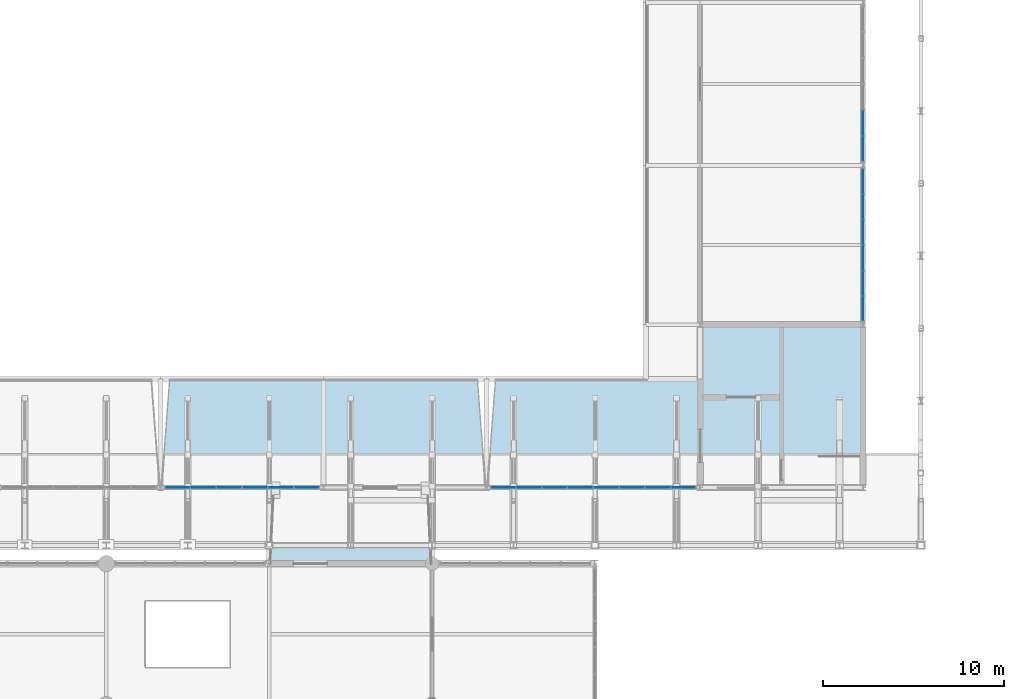
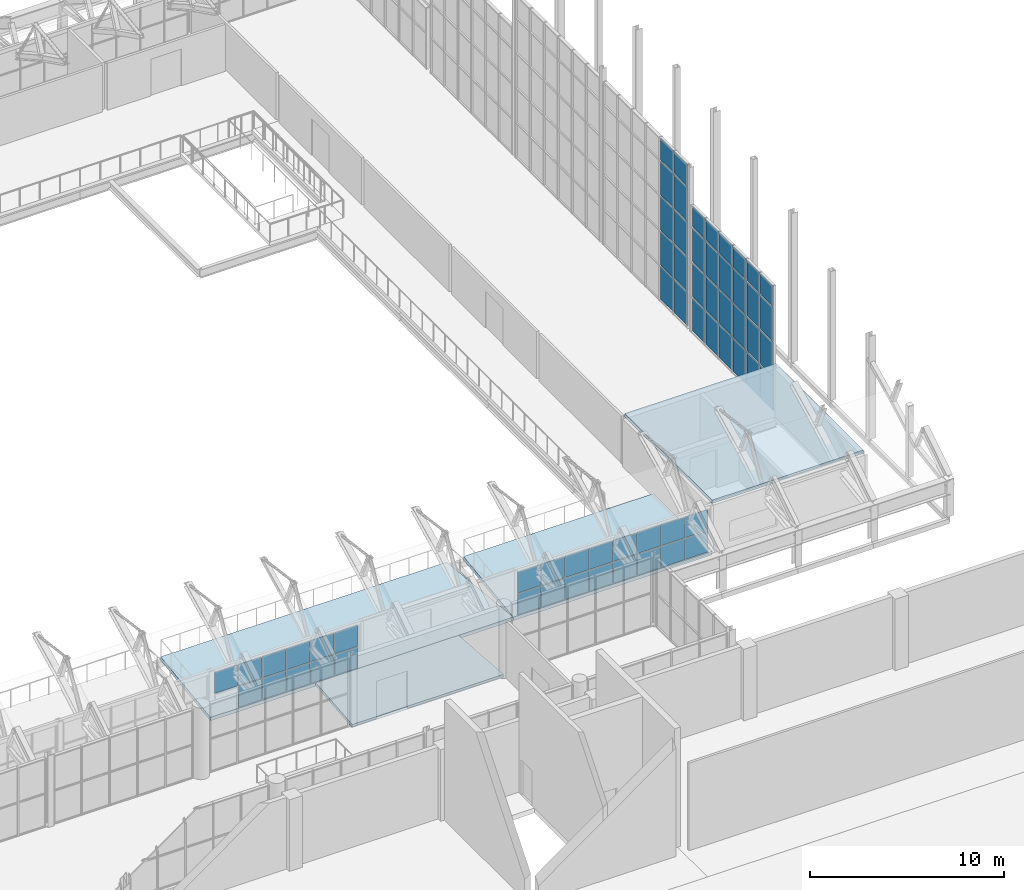
# One storey, part 102 of 134: 61 plates, 4 slabs, 4 elements without a shape of their own.
"""IFC4 building model written with IfcOpenShell, lengths in metres."""

from ifc_helpers import new_model, si_unit, direction, frame, origin, origin_2d, place, context, subcontext, project, spatial, polyline, rectangle, outline, extrude, material, layer, layer_set, type_object, element, aggregate, save


model = new_model("IFC4")

# Units and contexts
model_context = context("Model", 3, precision=1e-05, world=origin(), true_north=direction((0.0, 1.0)))
body_context = subcontext(model_context, "Body", "Model", "MODEL_VIEW")
ifc_project = project(units=[si_unit("LENGTHUNIT", "METRE"), si_unit("AREAUNIT", "SQUARE_METRE"), si_unit("VOLUMEUNIT", "CUBIC_METRE"), si_unit("PLANEANGLEUNIT", "RADIAN"), si_unit("MASSUNIT", "GRAM", prefix="KILO")], contexts=[model_context])

# Site, building, storey
site_placement = place(None, origin())
site = spatial("IfcSite", under=ifc_project, at=site_placement, CompositionType="ELEMENT")
building_placement = place(site_placement, origin())
building = spatial("IfcBuilding", under=site, at=building_placement, Name="Cazmaro Siding Exhibition Halls", CompositionType="ELEMENT")
storey_placement = place(building_placement, frame((0.0, 0.0, 12.0)))
storey = spatial("IfcBuildingStorey", under=building, at=storey_placement, Name="L02", CompositionType="ELEMENT", Elevation=12.0)

# Curtain wall, plates
ifc_material_1 = material(Name="Anodized Bronze Aluminum and Solar-Control Low-E Glazing", Category="aluminium")
ifc_layer_1 = layer(ifc_material_1, 0.219970703125)
ifc_layer_set_1 = layer_set([ifc_layer_1], Name="Anodized Bronze Aluminum and Solar-Control Low-E Glazing")
curtain_wall_type_1 = type_object("IfcCurtainWallType", Name="CWS-03", PredefinedType="USERDEFINED", material=ifc_layer_set_1)
curtain_wall_1_placement = place(storey_placement, origin())
curtain_wall_1 = element("IfcCurtainWall", 1, at=curtain_wall_1_placement, inside=storey, type_object=curtain_wall_type_1, Name="Glazed Curtain Wall CWS-03 CW-067", ObjectType="GLAZED CURTAIN WALL", PredefinedType="USERDEFINED")
ifc_material_2 = material(Name="Solar-Control Low-E Double Insulating Glass", Category="glass")
ifc_layer_2 = layer(ifc_material_2, 0.0458984375)
ifc_layer_set_2 = layer_set([ifc_layer_2], Name="Solar-Control Low-E Double Insulating Glass")
plate_type_1 = type_object("IfcPlateType", Name="CWP-03", PredefinedType="CURTAIN_PANEL", material=ifc_layer_set_2)
plate_1_placement = place(storey_placement, frame((167.800048828125, 77.098388671875, 0.06982421875), z_axis=(0.0, 0.0, 1.0), x_axis=(0.0, 1.0, 0.0)))
plate_1 = element("IfcPlate", 2, at=plate_1_placement, type_object=plate_type_1, Name="CWS-03 panel 1.1", PredefinedType="CURTAIN_PANEL", context=body_context, shape_type="SweptSolid", body=[
    extrude(rectangle(XDim=1.302734375, YDim=0.0458984375, at=origin_2d()), origin(), (0.0, 0.0, 1.0), 2.094970703125),
])
plate_2_placement = place(storey_placement, frame((167.800048828125, 77.098388671875, 2.235107421875), z_axis=(0.0, 0.0, 1.0), x_axis=(0.0, 1.0, 0.0)))
plate_2 = element("IfcPlate", 3, at=plate_2_placement, type_object=plate_type_1, Name="CWS-03 panel 1.2", PredefinedType="CURTAIN_PANEL", context=body_context, shape_type="SweptSolid", body=[
    extrude(rectangle(XDim=1.302734375, YDim=0.0458984375, at=origin_2d()), origin(), (0.0, 0.0, 1.0), 2.1298828125),
])
plate_3_placement = place(storey_placement, frame((167.800048828125, 77.098388671875, 4.43505859375), z_axis=(0.0, 0.0, 1.0), x_axis=(0.0, 1.0, 0.0)))
plate_3 = element("IfcPlate", 4, at=plate_3_placement, type_object=plate_type_1, Name="CWS-03 panel 1.3", PredefinedType="CURTAIN_PANEL", context=body_context, shape_type="SweptSolid", body=[
    extrude(rectangle(XDim=1.302734375, YDim=0.0458984375, at=origin_2d()), origin(), (0.0, 0.0, 1.0), 2.1298828125),
])
plate_4_placement = place(storey_placement, frame((167.800048828125, 77.098388671875, 6.635009765625), z_axis=(0.0, 0.0, 1.0), x_axis=(0.0, 1.0, 0.0)))
plate_4 = element("IfcPlate", 5, at=plate_4_placement, type_object=plate_type_1, Name="CWS-03 panel 1.4", PredefinedType="CURTAIN_PANEL", context=body_context, shape_type="SweptSolid", body=[
    extrude(rectangle(XDim=1.302734375, YDim=0.0458984375, at=origin_2d()), origin(), (0.0, 0.0, 1.0), 1.26806640625),
])
plate_5_placement = place(storey_placement, frame((167.800048828125, 78.488525390625, 0.06982421875), z_axis=(0.0, 0.0, 1.0), x_axis=(0.0, 1.0, 0.0)))
plate_5 = element("IfcPlate", 6, at=plate_5_placement, type_object=plate_type_1, Name="CWS-03 panel 2.1", PredefinedType="CURTAIN_PANEL", context=body_context, shape_type="SweptSolid", body=[
    extrude(rectangle(XDim=1.337646484375, YDim=0.0458984375, at=origin_2d()), origin(), (0.0, 0.0, 1.0), 2.094970703125),
])
plate_6_placement = place(storey_placement, frame((167.800048828125, 78.488525390625, 2.235107421875), z_axis=(0.0, 0.0, 1.0), x_axis=(0.0, 1.0, 0.0)))
plate_6 = element("IfcPlate", 7, at=plate_6_placement, type_object=plate_type_1, Name="CWS-03 panel 2.2", PredefinedType="CURTAIN_PANEL", context=body_context, shape_type="SweptSolid", body=[
    extrude(rectangle(XDim=1.337646484375, YDim=0.0458984375, at=origin_2d()), origin(), (0.0, 0.0, 1.0), 2.1298828125),
])
plate_7_placement = place(storey_placement, frame((167.800048828125, 78.488525390625, 4.43505859375), z_axis=(0.0, 0.0, 1.0), x_axis=(0.0, 1.0, 0.0)))
plate_7 = element("IfcPlate", 8, at=plate_7_placement, type_object=plate_type_1, Name="CWS-03 panel 2.3", PredefinedType="CURTAIN_PANEL", context=body_context, shape_type="SweptSolid", body=[
    extrude(rectangle(XDim=1.337646484375, YDim=0.0458984375, at=origin_2d()), origin(), (0.0, 0.0, 1.0), 2.1298828125),
])
plate_8_placement = place(storey_placement, frame((167.800048828125, 78.488525390625, 6.635009765625), z_axis=(0.0, 0.0, 1.0), x_axis=(0.0, 1.0, 0.0)))
plate_8 = element("IfcPlate", 9, at=plate_8_placement, type_object=plate_type_1, Name="CWS-03 panel 2.4", PredefinedType="CURTAIN_PANEL", context=body_context, shape_type="SweptSolid", body=[
    extrude(rectangle(XDim=1.337646484375, YDim=0.0458984375, at=origin_2d()), origin(), (0.0, 0.0, 1.0), 1.26806640625),
])
plate_9_placement = place(storey_placement, frame((167.800048828125, 79.896240234375, 0.06982421875), z_axis=(0.0, 0.0, 1.0), x_axis=(0.0, 1.0, 0.0)))
plate_9 = element("IfcPlate", 10, at=plate_9_placement, type_object=plate_type_1, Name="CWS-03 panel 3.1", PredefinedType="CURTAIN_PANEL", context=body_context, shape_type="SweptSolid", body=[
    extrude(rectangle(XDim=1.337646484375, YDim=0.0458984375, at=origin_2d()), origin(), (0.0, 0.0, 1.0), 2.094970703125),
])
plate_10_placement = place(storey_placement, frame((167.800048828125, 79.896240234375, 2.235107421875), z_axis=(0.0, 0.0, 1.0), x_axis=(0.0, 1.0, 0.0)))
plate_10 = element("IfcPlate", 11, at=plate_10_placement, type_object=plate_type_1, Name="CWS-03 panel 3.2", PredefinedType="CURTAIN_PANEL", context=body_context, shape_type="SweptSolid", body=[
    extrude(rectangle(XDim=1.337646484375, YDim=0.0458984375, at=origin_2d()), origin(), (0.0, 0.0, 1.0), 2.1298828125),
])
plate_11_placement = place(storey_placement, frame((167.800048828125, 79.896240234375, 4.43505859375), z_axis=(0.0, 0.0, 1.0), x_axis=(0.0, 1.0, 0.0)))
plate_11 = element("IfcPlate", 12, at=plate_11_placement, type_object=plate_type_1, Name="CWS-03 panel 3.3", PredefinedType="CURTAIN_PANEL", context=body_context, shape_type="SweptSolid", body=[
    extrude(rectangle(XDim=1.337646484375, YDim=0.0458984375, at=origin_2d()), origin(), (0.0, 0.0, 1.0), 2.1298828125),
])
plate_12_placement = place(storey_placement, frame((167.800048828125, 79.896240234375, 6.635009765625), z_axis=(0.0, 0.0, 1.0), x_axis=(0.0, 1.0, 0.0)))
plate_12 = element("IfcPlate", 13, at=plate_12_placement, type_object=plate_type_1, Name="CWS-03 panel 3.4", PredefinedType="CURTAIN_PANEL", context=body_context, shape_type="SweptSolid", body=[
    extrude(rectangle(XDim=1.337646484375, YDim=0.0458984375, at=origin_2d()), origin(), (0.0, 0.0, 1.0), 1.26806640625),
])
plate_13_placement = place(storey_placement, frame((167.800048828125, 81.303955078125, 0.06982421875), z_axis=(0.0, 0.0, 1.0), x_axis=(0.0, 1.0, 0.0)))
plate_13 = element("IfcPlate", 14, at=plate_13_placement, type_object=plate_type_1, Name="CWS-03 panel 4.1", PredefinedType="CURTAIN_PANEL", context=body_context, shape_type="SweptSolid", body=[
    extrude(rectangle(XDim=1.337646484375, YDim=0.0458984375, at=origin_2d()), origin(), (0.0, 0.0, 1.0), 2.094970703125),
])
plate_14_placement = place(storey_placement, frame((167.800048828125, 81.303955078125, 2.235107421875), z_axis=(0.0, 0.0, 1.0), x_axis=(0.0, 1.0, 0.0)))
plate_14 = element("IfcPlate", 15, at=plate_14_placement, type_object=plate_type_1, Name="CWS-03 panel 4.2", PredefinedType="CURTAIN_PANEL", context=body_context, shape_type="SweptSolid", body=[
    extrude(rectangle(XDim=1.337646484375, YDim=0.0458984375, at=origin_2d()), origin(), (0.0, 0.0, 1.0), 2.1298828125),
])
plate_15_placement = place(storey_placement, frame((167.800048828125, 81.303955078125, 4.43505859375), z_axis=(0.0, 0.0, 1.0), x_axis=(0.0, 1.0, 0.0)))
plate_15 = element("IfcPlate", 16, at=plate_15_placement, type_object=plate_type_1, Name="CWS-03 panel 4.3", PredefinedType="CURTAIN_PANEL", context=body_context, shape_type="SweptSolid", body=[
    extrude(rectangle(XDim=1.337646484375, YDim=0.0458984375, at=origin_2d()), origin(), (0.0, 0.0, 1.0), 2.1298828125),
])
plate_16_placement = place(storey_placement, frame((167.800048828125, 81.303955078125, 6.635009765625), z_axis=(0.0, 0.0, 1.0), x_axis=(0.0, 1.0, 0.0)))
plate_16 = element("IfcPlate", 17, at=plate_16_placement, type_object=plate_type_1, Name="CWS-03 panel 4.4", PredefinedType="CURTAIN_PANEL", context=body_context, shape_type="SweptSolid", body=[
    extrude(rectangle(XDim=1.337646484375, YDim=0.0458984375, at=origin_2d()), origin(), (0.0, 0.0, 1.0), 1.26806640625),
])
plate_17_placement = place(storey_placement, frame((167.800048828125, 82.71142578125, 0.06982421875), z_axis=(0.0, 0.0, 1.0), x_axis=(0.0, 1.0, 0.0)))
plate_17 = element("IfcPlate", 18, at=plate_17_placement, type_object=plate_type_1, Name="CWS-03 panel 5.1", PredefinedType="CURTAIN_PANEL", context=body_context, shape_type="SweptSolid", body=[
    extrude(rectangle(XDim=1.337646484375, YDim=0.0458984375, at=origin_2d()), origin(), (0.0, 0.0, 1.0), 2.094970703125),
])
plate_18_placement = place(storey_placement, frame((167.800048828125, 82.71142578125, 2.235107421875), z_axis=(0.0, 0.0, 1.0), x_axis=(0.0, 1.0, 0.0)))
plate_18 = element("IfcPlate", 19, at=plate_18_placement, type_object=plate_type_1, Name="CWS-03 panel 5.2", PredefinedType="CURTAIN_PANEL", context=body_context, shape_type="SweptSolid", body=[
    extrude(rectangle(XDim=1.337646484375, YDim=0.0458984375, at=origin_2d()), origin(), (0.0, 0.0, 1.0), 2.1298828125),
])
plate_19_placement = place(storey_placement, frame((167.800048828125, 82.71142578125, 4.43505859375), z_axis=(0.0, 0.0, 1.0), x_axis=(0.0, 1.0, 0.0)))
plate_19 = element("IfcPlate", 20, at=plate_19_placement, type_object=plate_type_1, Name="CWS-03 panel 5.3", PredefinedType="CURTAIN_PANEL", context=body_context, shape_type="SweptSolid", body=[
    extrude(rectangle(XDim=1.337646484375, YDim=0.0458984375, at=origin_2d()), origin(), (0.0, 0.0, 1.0), 2.1298828125),
])
plate_20_placement = place(storey_placement, frame((167.800048828125, 82.71142578125, 6.635009765625), z_axis=(0.0, 0.0, 1.0), x_axis=(0.0, 1.0, 0.0)))
plate_20 = element("IfcPlate", 21, at=plate_20_placement, type_object=plate_type_1, Name="CWS-03 panel 5.4", PredefinedType="CURTAIN_PANEL", context=body_context, shape_type="SweptSolid", body=[
    extrude(rectangle(XDim=1.337646484375, YDim=0.0458984375, at=origin_2d()), origin(), (0.0, 0.0, 1.0), 1.26806640625),
])
plate_21_placement = place(storey_placement, frame((167.800048828125, 84.1015625, 0.06982421875), z_axis=(0.0, 0.0, 1.0), x_axis=(0.0, 1.0, 0.0)))
plate_21 = element("IfcPlate", 22, at=plate_21_placement, type_object=plate_type_1, Name="CWS-03 panel 6.1", PredefinedType="CURTAIN_PANEL", context=body_context, shape_type="SweptSolid", body=[
    extrude(rectangle(XDim=1.302734375, YDim=0.0458984375, at=origin_2d()), origin(), (0.0, 0.0, 1.0), 2.094970703125),
])
plate_22_placement = place(storey_placement, frame((167.800048828125, 84.1015625, 2.235107421875), z_axis=(0.0, 0.0, 1.0), x_axis=(0.0, 1.0, 0.0)))
plate_22 = element("IfcPlate", 23, at=plate_22_placement, type_object=plate_type_1, Name="CWS-03 panel 6.2", PredefinedType="CURTAIN_PANEL", context=body_context, shape_type="SweptSolid", body=[
    extrude(rectangle(XDim=1.302734375, YDim=0.0458984375, at=origin_2d()), origin(), (0.0, 0.0, 1.0), 2.1298828125),
])
plate_23_placement = place(storey_placement, frame((167.800048828125, 84.1015625, 4.43505859375), z_axis=(0.0, 0.0, 1.0), x_axis=(0.0, 1.0, 0.0)))
plate_23 = element("IfcPlate", 24, at=plate_23_placement, type_object=plate_type_1, Name="CWS-03 panel 6.3", PredefinedType="CURTAIN_PANEL", context=body_context, shape_type="SweptSolid", body=[
    extrude(rectangle(XDim=1.302734375, YDim=0.0458984375, at=origin_2d()), origin(), (0.0, 0.0, 1.0), 2.1298828125),
])
plate_24_placement = place(storey_placement, frame((167.800048828125, 84.1015625, 6.635009765625), z_axis=(0.0, 0.0, 1.0), x_axis=(0.0, 1.0, 0.0)))
plate_24 = element("IfcPlate", 25, at=plate_24_placement, type_object=plate_type_1, Name="CWS-03 panel 6.4", PredefinedType="CURTAIN_PANEL", context=body_context, shape_type="SweptSolid", body=[
    extrude(rectangle(XDim=1.302734375, YDim=0.0458984375, at=origin_2d()), origin(), (0.0, 0.0, 1.0), 1.26806640625),
])
aggregate(curtain_wall_1, [plate_1, plate_2, plate_3, plate_4, plate_5, plate_6, plate_7, plate_8, plate_9, plate_10, plate_11, plate_12, plate_13, plate_14, plate_15, plate_16, plate_17, plate_18, plate_19, plate_20, plate_21, plate_22, plate_23, plate_24])

curtain_wall_2_placement = place(storey_placement, origin())
curtain_wall_2 = element("IfcCurtainWall", 26, at=curtain_wall_2_placement, inside=storey, type_object=curtain_wall_type_1, Name="Glazed Curtain Wall CWS-03 CW-070", ObjectType="GLAZED CURTAIN WALL", PredefinedType="USERDEFINED")
plate_25_placement = place(storey_placement, frame((167.800048828125, 85.9150390625, 0.06982421875), z_axis=(0.0, 0.0, 1.0), x_axis=(0.0, 1.0, 0.0)))
plate_25 = element("IfcPlate", 27, at=plate_25_placement, type_object=plate_type_1, Name="CWS-03 panel 1.1", PredefinedType="CURTAIN_PANEL", context=body_context, shape_type="SweptSolid", body=[
    extrude(rectangle(XDim=1.3359375, YDim=0.0458984375, at=origin_2d()), origin(), (0.0, 0.0, 1.0), 2.094970703125),
])
plate_26_placement = place(storey_placement, frame((167.800048828125, 85.9150390625, 2.235107421875), z_axis=(0.0, 0.0, 1.0), x_axis=(0.0, 1.0, 0.0)))
plate_26 = element("IfcPlate", 28, at=plate_26_placement, type_object=plate_type_1, Name="CWS-03 panel 1.2", PredefinedType="CURTAIN_PANEL", context=body_context, shape_type="SweptSolid", body=[
    extrude(rectangle(XDim=1.3359375, YDim=0.0458984375, at=origin_2d()), origin(), (0.0, 0.0, 1.0), 2.1298828125),
])
plate_27_placement = place(storey_placement, frame((167.800048828125, 85.9150390625, 4.43505859375), z_axis=(0.0, 0.0, 1.0), x_axis=(0.0, 1.0, 0.0)))
plate_27 = element("IfcPlate", 29, at=plate_27_placement, type_object=plate_type_1, Name="CWS-03 panel 1.3", PredefinedType="CURTAIN_PANEL", context=body_context, shape_type="SweptSolid", body=[
    extrude(rectangle(XDim=1.3359375, YDim=0.0458984375, at=origin_2d()), origin(), (0.0, 0.0, 1.0), 2.1298828125),
])
plate_28_placement = place(storey_placement, frame((167.800048828125, 85.9150390625, 6.635009765625), z_axis=(0.0, 0.0, 1.0), x_axis=(0.0, 1.0, 0.0)))
plate_28 = element("IfcPlate", 30, at=plate_28_placement, type_object=plate_type_1, Name="CWS-03 panel 1.4", PredefinedType="CURTAIN_PANEL", context=body_context, shape_type="SweptSolid", body=[
    extrude(rectangle(XDim=1.3359375, YDim=0.0458984375, at=origin_2d()), origin(), (0.0, 0.0, 1.0), 2.1298828125),
])
plate_29_placement = place(storey_placement, frame((167.800048828125, 85.9150390625, 8.8349609375), z_axis=(0.0, 0.0, 1.0), x_axis=(0.0, 1.0, 0.0)))
plate_29 = element("IfcPlate", 31, at=plate_29_placement, type_object=plate_type_1, Name="CWS-03 panel 1.5", PredefinedType="CURTAIN_PANEL", context=body_context, shape_type="SweptSolid", body=[
    extrude(rectangle(XDim=1.3359375, YDim=0.0458984375, at=origin_2d()), origin(), (0.0, 0.0, 1.0), 1.35302734375),
])
plate_30_placement = place(storey_placement, frame((167.800048828125, 87.33837890625, 0.06982421875), z_axis=(0.0, 0.0, 1.0), x_axis=(0.0, 1.0, 0.0)))
plate_30 = element("IfcPlate", 32, at=plate_30_placement, type_object=plate_type_1, Name="CWS-03 panel 2.1", PredefinedType="CURTAIN_PANEL", context=body_context, shape_type="SweptSolid", body=[
    extrude(rectangle(XDim=1.37109375, YDim=0.0458984375, at=origin_2d()), origin(), (0.0, 0.0, 1.0), 2.094970703125),
])
plate_31_placement = place(storey_placement, frame((167.800048828125, 87.33837890625, 2.235107421875), z_axis=(0.0, 0.0, 1.0), x_axis=(0.0, 1.0, 0.0)))
plate_31 = element("IfcPlate", 33, at=plate_31_placement, type_object=plate_type_1, Name="CWS-03 panel 2.2", PredefinedType="CURTAIN_PANEL", context=body_context, shape_type="SweptSolid", body=[
    extrude(rectangle(XDim=1.37109375, YDim=0.0458984375, at=origin_2d()), origin(), (0.0, 0.0, 1.0), 2.1298828125),
])
plate_32_placement = place(storey_placement, frame((167.800048828125, 87.33837890625, 4.43505859375), z_axis=(0.0, 0.0, 1.0), x_axis=(0.0, 1.0, 0.0)))
plate_32 = element("IfcPlate", 34, at=plate_32_placement, type_object=plate_type_1, Name="CWS-03 panel 2.3", PredefinedType="CURTAIN_PANEL", context=body_context, shape_type="SweptSolid", body=[
    extrude(rectangle(XDim=1.37109375, YDim=0.0458984375, at=origin_2d()), origin(), (0.0, 0.0, 1.0), 2.1298828125),
])
plate_33_placement = place(storey_placement, frame((167.800048828125, 87.33837890625, 6.635009765625), z_axis=(0.0, 0.0, 1.0), x_axis=(0.0, 1.0, 0.0)))
plate_33 = element("IfcPlate", 35, at=plate_33_placement, type_object=plate_type_1, Name="CWS-03 panel 2.4", PredefinedType="CURTAIN_PANEL", context=body_context, shape_type="SweptSolid", body=[
    extrude(rectangle(XDim=1.37109375, YDim=0.0458984375, at=origin_2d()), origin(), (0.0, 0.0, 1.0), 2.1298828125),
])
plate_34_placement = place(storey_placement, frame((167.800048828125, 87.33837890625, 8.8349609375), z_axis=(0.0, 0.0, 1.0), x_axis=(0.0, 1.0, 0.0)))
plate_34 = element("IfcPlate", 36, at=plate_34_placement, type_object=plate_type_1, Name="CWS-03 panel 2.5", PredefinedType="CURTAIN_PANEL", context=body_context, shape_type="SweptSolid", body=[
    extrude(rectangle(XDim=1.37109375, YDim=0.0458984375, at=origin_2d()), origin(), (0.0, 0.0, 1.0), 1.35302734375),
])
aggregate(curtain_wall_2, [plate_25, plate_26, plate_27, plate_28, plate_29, plate_30, plate_31, plate_32, plate_33, plate_34])

ifc_material_3 = material(Name="Anodized Bronze Aluminum and Solar-Control Low-E Glazing", Category="aluminium")
ifc_layer_3 = layer(ifc_material_3, 0.159912109375)
ifc_layer_set_3 = layer_set([ifc_layer_3], Name="Anodized Bronze Aluminum and Solar-Control Low-E Glazing")
curtain_wall_type_2 = type_object("IfcCurtainWallType", Name="CWS-04", PredefinedType="USERDEFINED", material=ifc_layer_set_3)
curtain_wall_3_placement = place(storey_placement, origin())
curtain_wall_3 = element("IfcCurtainWall", 37, at=curtain_wall_3_placement, inside=storey, type_object=curtain_wall_type_2, Name="Clerestory Curtain Wall CWS-04 CW-037", ObjectType="CLERESTORY CURTAIN WALL", PredefinedType="USERDEFINED")
ifc_material_4 = material(Name="Solar-Control Low-E Double Insulating Glass", Category="glass")
ifc_layer_4 = layer(ifc_material_4, 0.028076171875)
ifc_layer_set_4 = layer_set([ifc_layer_4], Name="Solar-Control Low-E Double Insulating Glass")
plate_type_2 = type_object("IfcPlateType", Name="CWP-04", PredefinedType="CURTAIN_PANEL", material=ifc_layer_set_4)
plate_35_placement = place(storey_placement, frame((129.92919921875, 67.199951171875, 1.429931640625), z_axis=(0.0, 0.0, 1.0), x_axis=(1.0, 0.0, 0.0)))
plate_35 = element("IfcPlate", 38, at=plate_35_placement, type_object=plate_type_2, Name="CWS-04 panel 1.2", PredefinedType="CURTAIN_PANEL", context=body_context, shape_type="SweptSolid", body=[
    extrude(rectangle(XDim=1.34423828125, YDim=0.028076171875, at=origin_2d()), origin(), (0.0, 0.0, 1.0), 1.31005859375),
])
plate_36_placement = place(storey_placement, frame((131.348388671875, 67.199951171875, 0.06005859375), z_axis=(0.0, 0.0, 1.0), x_axis=(1.0, 0.0, 0.0)))
plate_36 = element("IfcPlate", 39, at=plate_36_placement, type_object=plate_type_2, Name="CWS-04 panel 2.1", PredefinedType="CURTAIN_PANEL", context=body_context, shape_type="SweptSolid", body=[
    extrude(rectangle(XDim=1.374267578125, YDim=0.028076171875, at=origin_2d()), origin(), (0.0, 0.0, 1.0), 1.31005859375),
])
plate_37_placement = place(storey_placement, frame((131.348388671875, 67.199951171875, 1.429931640625), z_axis=(0.0, 0.0, 1.0), x_axis=(1.0, 0.0, 0.0)))
plate_37 = element("IfcPlate", 40, at=plate_37_placement, type_object=plate_type_2, Name="CWS-04 panel 2.2", PredefinedType="CURTAIN_PANEL", context=body_context, shape_type="SweptSolid", body=[
    extrude(rectangle(XDim=1.374267578125, YDim=0.028076171875, at=origin_2d()), origin(), (0.0, 0.0, 1.0), 1.31005859375),
])
plate_38_placement = place(storey_placement, frame((132.78271484375, 67.199951171875, 0.06005859375), z_axis=(0.0, 0.0, 1.0), x_axis=(1.0, 0.0, 0.0)))
plate_38 = element("IfcPlate", 41, at=plate_38_placement, type_object=plate_type_2, Name="CWS-04 panel 3.1", PredefinedType="CURTAIN_PANEL", context=body_context, shape_type="SweptSolid", body=[
    extrude(rectangle(XDim=1.374267578125, YDim=0.028076171875, at=origin_2d()), origin(), (0.0, 0.0, 1.0), 1.31005859375),
])
plate_39_placement = place(storey_placement, frame((132.78271484375, 67.199951171875, 1.429931640625), z_axis=(0.0, 0.0, 1.0), x_axis=(1.0, 0.0, 0.0)))
plate_39 = element("IfcPlate", 42, at=plate_39_placement, type_object=plate_type_2, Name="CWS-04 panel 3.2", PredefinedType="CURTAIN_PANEL", context=body_context, shape_type="SweptSolid", body=[
    extrude(rectangle(XDim=1.374267578125, YDim=0.028076171875, at=origin_2d()), origin(), (0.0, 0.0, 1.0), 1.31005859375),
])
plate_40_placement = place(storey_placement, frame((134.21728515625, 67.199951171875, 0.06005859375), z_axis=(0.0, 0.0, 1.0), x_axis=(1.0, 0.0, 0.0)))
plate_40 = element("IfcPlate", 43, at=plate_40_placement, type_object=plate_type_2, Name="CWS-04 panel 4.1", PredefinedType="CURTAIN_PANEL", context=body_context, shape_type="SweptSolid", body=[
    extrude(rectangle(XDim=1.374267578125, YDim=0.028076171875, at=origin_2d()), origin(), (0.0, 0.0, 1.0), 1.31005859375),
])
plate_41_placement = place(storey_placement, frame((134.21728515625, 67.199951171875, 1.429931640625), z_axis=(0.0, 0.0, 1.0), x_axis=(1.0, 0.0, 0.0)))
plate_41 = element("IfcPlate", 44, at=plate_41_placement, type_object=plate_type_2, Name="CWS-04 panel 4.2", PredefinedType="CURTAIN_PANEL", context=body_context, shape_type="SweptSolid", body=[
    extrude(rectangle(XDim=1.374267578125, YDim=0.028076171875, at=origin_2d()), origin(), (0.0, 0.0, 1.0), 1.31005859375),
])
plate_42_placement = place(storey_placement, frame((135.651611328125, 67.199951171875, 0.06005859375), z_axis=(0.0, 0.0, 1.0), x_axis=(1.0, 0.0, 0.0)))
plate_42 = element("IfcPlate", 45, at=plate_42_placement, type_object=plate_type_2, Name="CWS-04 panel 5.1", PredefinedType="CURTAIN_PANEL", context=body_context, shape_type="SweptSolid", body=[
    extrude(rectangle(XDim=1.374267578125, YDim=0.028076171875, at=origin_2d()), origin(), (0.0, 0.0, 1.0), 1.31005859375),
])
plate_43_placement = place(storey_placement, frame((135.651611328125, 67.199951171875, 1.429931640625), z_axis=(0.0, 0.0, 1.0), x_axis=(1.0, 0.0, 0.0)))
plate_43 = element("IfcPlate", 46, at=plate_43_placement, type_object=plate_type_2, Name="CWS-04 panel 5.2", PredefinedType="CURTAIN_PANEL", context=body_context, shape_type="SweptSolid", body=[
    extrude(rectangle(XDim=1.374267578125, YDim=0.028076171875, at=origin_2d()), origin(), (0.0, 0.0, 1.0), 1.31005859375),
])
plate_44_placement = place(storey_placement, frame((137.07080078125, 67.199951171875, 0.06005859375), z_axis=(0.0, 0.0, 1.0), x_axis=(1.0, 0.0, 0.0)))
plate_44 = element("IfcPlate", 47, at=plate_44_placement, type_object=plate_type_2, Name="CWS-04 panel 6.1", PredefinedType="CURTAIN_PANEL", context=body_context, shape_type="SweptSolid", body=[
    extrude(rectangle(XDim=1.34423828125, YDim=0.028076171875, at=origin_2d()), origin(), (0.0, 0.0, 1.0), 1.31005859375),
])
plate_45_placement = place(storey_placement, frame((137.07080078125, 67.199951171875, 1.429931640625), z_axis=(0.0, 0.0, 1.0), x_axis=(1.0, 0.0, 0.0)))
plate_45 = element("IfcPlate", 48, at=plate_45_placement, type_object=plate_type_2, Name="CWS-04 panel 6.2", PredefinedType="CURTAIN_PANEL", context=body_context, shape_type="SweptSolid", body=[
    extrude(rectangle(XDim=1.34423828125, YDim=0.028076171875, at=origin_2d()), origin(), (0.0, 0.0, 1.0), 1.31005859375),
])
aggregate(curtain_wall_3, [plate_35, plate_36, plate_37, plate_38, plate_39, plate_40, plate_41, plate_42, plate_43, plate_44, plate_45])

curtain_wall_4_placement = place(storey_placement, origin())
curtain_wall_4 = element("IfcCurtainWall", 49, at=curtain_wall_4_placement, inside=storey, type_object=curtain_wall_type_2, Name="Clerestory Curtain Wall CWS-04 CW-045", ObjectType="CLERESTORY CURTAIN WALL", PredefinedType="USERDEFINED")
plate_46_placement = place(storey_placement, frame((147.9248046875, 67.199951171875, 0.06005859375), z_axis=(0.0, 0.0, 1.0), x_axis=(1.0, 0.0, 0.0)))
plate_46 = element("IfcPlate", 50, at=plate_46_placement, type_object=plate_type_2, Name="CWS-04 panel 1.1", PredefinedType="CURTAIN_PANEL", context=body_context, shape_type="SweptSolid", body=[
    extrude(rectangle(XDim=1.335693359375, YDim=0.028076171875, at=origin_2d()), origin(), (0.0, 0.0, 1.0), 1.31005859375),
])
plate_47_placement = place(storey_placement, frame((147.9248046875, 67.199951171875, 1.429931640625), z_axis=(0.0, 0.0, 1.0), x_axis=(1.0, 0.0, 0.0)))
plate_47 = element("IfcPlate", 51, at=plate_47_placement, type_object=plate_type_2, Name="CWS-04 panel 1.2", PredefinedType="CURTAIN_PANEL", context=body_context, shape_type="SweptSolid", body=[
    extrude(rectangle(XDim=1.335693359375, YDim=0.028076171875, at=origin_2d()), origin(), (0.0, 0.0, 1.0), 1.31005859375),
])
plate_48_placement = place(storey_placement, frame((149.335693359375, 67.199951171875, 0.06005859375), z_axis=(0.0, 0.0, 1.0), x_axis=(1.0, 0.0, 0.0)))
plate_48 = element("IfcPlate", 52, at=plate_48_placement, type_object=plate_type_2, Name="CWS-04 panel 2.1", PredefinedType="CURTAIN_PANEL", context=body_context, shape_type="SweptSolid", body=[
    extrude(rectangle(XDim=1.36572265625, YDim=0.028076171875, at=origin_2d()), origin(), (0.0, 0.0, 1.0), 1.31005859375),
])
plate_49_placement = place(storey_placement, frame((149.335693359375, 67.199951171875, 1.429931640625), z_axis=(0.0, 0.0, 1.0), x_axis=(1.0, 0.0, 0.0)))
plate_49 = element("IfcPlate", 53, at=plate_49_placement, type_object=plate_type_2, Name="CWS-04 panel 2.2", PredefinedType="CURTAIN_PANEL", context=body_context, shape_type="SweptSolid", body=[
    extrude(rectangle(XDim=1.36572265625, YDim=0.028076171875, at=origin_2d()), origin(), (0.0, 0.0, 1.0), 1.31005859375),
])
plate_50_placement = place(storey_placement, frame((150.761474609375, 67.199951171875, 0.06005859375), z_axis=(0.0, 0.0, 1.0), x_axis=(1.0, 0.0, 0.0)))
plate_50 = element("IfcPlate", 54, at=plate_50_placement, type_object=plate_type_2, Name="CWS-04 panel 3.1", PredefinedType="CURTAIN_PANEL", context=body_context, shape_type="SweptSolid", body=[
    extrude(rectangle(XDim=1.36572265625, YDim=0.028076171875, at=origin_2d()), origin(), (0.0, 0.0, 1.0), 1.31005859375),
])
plate_51_placement = place(storey_placement, frame((150.761474609375, 67.199951171875, 1.429931640625), z_axis=(0.0, 0.0, 1.0), x_axis=(1.0, 0.0, 0.0)))
plate_51 = element("IfcPlate", 55, at=plate_51_placement, type_object=plate_type_2, Name="CWS-04 panel 3.2", PredefinedType="CURTAIN_PANEL", context=body_context, shape_type="SweptSolid", body=[
    extrude(rectangle(XDim=1.36572265625, YDim=0.028076171875, at=origin_2d()), origin(), (0.0, 0.0, 1.0), 1.31005859375),
])
plate_52_placement = place(storey_placement, frame((152.18701171875, 67.199951171875, 0.06005859375), z_axis=(0.0, 0.0, 1.0), x_axis=(1.0, 0.0, 0.0)))
plate_52 = element("IfcPlate", 56, at=plate_52_placement, type_object=plate_type_2, Name="CWS-04 panel 4.1", PredefinedType="CURTAIN_PANEL", context=body_context, shape_type="SweptSolid", body=[
    extrude(rectangle(XDim=1.36572265625, YDim=0.028076171875, at=origin_2d()), origin(), (0.0, 0.0, 1.0), 1.31005859375),
])
plate_53_placement = place(storey_placement, frame((152.18701171875, 67.199951171875, 1.429931640625), z_axis=(0.0, 0.0, 1.0), x_axis=(1.0, 0.0, 0.0)))
plate_53 = element("IfcPlate", 57, at=plate_53_placement, type_object=plate_type_2, Name="CWS-04 panel 4.2", PredefinedType="CURTAIN_PANEL", context=body_context, shape_type="SweptSolid", body=[
    extrude(rectangle(XDim=1.36572265625, YDim=0.028076171875, at=origin_2d()), origin(), (0.0, 0.0, 1.0), 1.31005859375),
])
plate_54_placement = place(storey_placement, frame((153.61279296875, 67.199951171875, 0.06005859375), z_axis=(0.0, 0.0, 1.0), x_axis=(1.0, 0.0, 0.0)))
plate_54 = element("IfcPlate", 58, at=plate_54_placement, type_object=plate_type_2, Name="CWS-04 panel 5.1", PredefinedType="CURTAIN_PANEL", context=body_context, shape_type="SweptSolid", body=[
    extrude(rectangle(XDim=1.36572265625, YDim=0.028076171875, at=origin_2d()), origin(), (0.0, 0.0, 1.0), 1.31005859375),
])
plate_55_placement = place(storey_placement, frame((153.61279296875, 67.199951171875, 1.429931640625), z_axis=(0.0, 0.0, 1.0), x_axis=(1.0, 0.0, 0.0)))
plate_55 = element("IfcPlate", 59, at=plate_55_placement, type_object=plate_type_2, Name="CWS-04 panel 5.2", PredefinedType="CURTAIN_PANEL", context=body_context, shape_type="SweptSolid", body=[
    extrude(rectangle(XDim=1.36572265625, YDim=0.028076171875, at=origin_2d()), origin(), (0.0, 0.0, 1.0), 1.31005859375),
])
plate_56_placement = place(storey_placement, frame((155.03857421875, 67.199951171875, 0.06005859375), z_axis=(0.0, 0.0, 1.0), x_axis=(1.0, 0.0, 0.0)))
plate_56 = element("IfcPlate", 60, at=plate_56_placement, type_object=plate_type_2, Name="CWS-04 panel 6.1", PredefinedType="CURTAIN_PANEL", context=body_context, shape_type="SweptSolid", body=[
    extrude(rectangle(XDim=1.36572265625, YDim=0.028076171875, at=origin_2d()), origin(), (0.0, 0.0, 1.0), 1.31005859375),
])
plate_57_placement = place(storey_placement, frame((155.03857421875, 67.199951171875, 1.429931640625), z_axis=(0.0, 0.0, 1.0), x_axis=(1.0, 0.0, 0.0)))
plate_57 = element("IfcPlate", 61, at=plate_57_placement, type_object=plate_type_2, Name="CWS-04 panel 6.2", PredefinedType="CURTAIN_PANEL", context=body_context, shape_type="SweptSolid", body=[
    extrude(rectangle(XDim=1.36572265625, YDim=0.028076171875, at=origin_2d()), origin(), (0.0, 0.0, 1.0), 1.31005859375),
])
plate_58_placement = place(storey_placement, frame((156.46435546875, 67.199951171875, 0.06005859375), z_axis=(0.0, 0.0, 1.0), x_axis=(1.0, 0.0, 0.0)))
plate_58 = element("IfcPlate", 62, at=plate_58_placement, type_object=plate_type_2, Name="CWS-04 panel 7.1", PredefinedType="CURTAIN_PANEL", context=body_context, shape_type="SweptSolid", body=[
    extrude(rectangle(XDim=1.36572265625, YDim=0.028076171875, at=origin_2d()), origin(), (0.0, 0.0, 1.0), 1.31005859375),
])
plate_59_placement = place(storey_placement, frame((156.46435546875, 67.199951171875, 1.429931640625), z_axis=(0.0, 0.0, 1.0), x_axis=(1.0, 0.0, 0.0)))
plate_59 = element("IfcPlate", 63, at=plate_59_placement, type_object=plate_type_2, Name="CWS-04 panel 7.2", PredefinedType="CURTAIN_PANEL", context=body_context, shape_type="SweptSolid", body=[
    extrude(rectangle(XDim=1.36572265625, YDim=0.028076171875, at=origin_2d()), origin(), (0.0, 0.0, 1.0), 1.31005859375),
])
plate_60_placement = place(storey_placement, frame((157.875244140625, 67.199951171875, 0.06005859375), z_axis=(0.0, 0.0, 1.0), x_axis=(1.0, 0.0, 0.0)))
plate_60 = element("IfcPlate", 64, at=plate_60_placement, type_object=plate_type_2, Name="CWS-04 panel 8.1", PredefinedType="CURTAIN_PANEL", context=body_context, shape_type="SweptSolid", body=[
    extrude(rectangle(XDim=1.335693359375, YDim=0.028076171875, at=origin_2d()), origin(), (0.0, 0.0, 1.0), 1.31005859375),
])
plate_61_placement = place(storey_placement, frame((157.875244140625, 67.199951171875, 1.429931640625), z_axis=(0.0, 0.0, 1.0), x_axis=(1.0, 0.0, 0.0)))
plate_61 = element("IfcPlate", 65, at=plate_61_placement, type_object=plate_type_2, Name="CWS-04 panel 8.2", PredefinedType="CURTAIN_PANEL", context=body_context, shape_type="SweptSolid", body=[
    extrude(rectangle(XDim=1.335693359375, YDim=0.028076171875, at=origin_2d()), origin(), (0.0, 0.0, 1.0), 1.31005859375),
])
aggregate(curtain_wall_4, [plate_46, plate_47, plate_48, plate_49, plate_50, plate_51, plate_52, plate_53, plate_54, plate_55, plate_56, plate_57, plate_58, plate_59, plate_60, plate_61])

# Slabs
ifc_material_5 = material(Name="Concrete f'c 35 MPa", Category="concrete")
ifc_layer_5 = layer(ifc_material_5, 0.219970703125)
ifc_layer_set_5 = layer_set([ifc_layer_5], Name="Concrete f'c 35 MPa")
slab_type_1 = type_object("IfcSlabType", Name="FS-01", PredefinedType="FLOOR", material=ifc_layer_set_5)
slab_1_placement = place(storey_placement, frame((0.0, 0.0, -0.219970703125)))
element("IfcSlab", 66, at=slab_1_placement, inside=storey, type_object=slab_type_1, Name="Hall A South Exhibitor Gallery Bay 11 L02 FS-01 SLB-0100", PredefinedType="FLOOR", context=body_context, shape_type="SweptSolid", body=[
    extrude(outline(polyline([(129.0, 67.199951171875), (147.0, 67.199951171875), (146.5, 73.199951171875), (129.5, 73.199951171875), (129.0, 67.199951171875)])), origin(), (0.0, 0.0, 1.0), 0.219970703125),
])
slab_2_placement = place(storey_placement, frame((0.0, 0.0, -0.219970703125)))
element("IfcSlab", 67, at=slab_2_placement, inside=storey, type_object=slab_type_1, Name="Hall A South Exhibitor Gallery Bay 12 L02 FS-01 SLB-0101", PredefinedType="FLOOR", context=body_context, shape_type="SweptSolid", body=[
    extrude(outline(polyline([(147.0, 67.199951171875), (158.800048828125, 67.199951171875), (158.800048828125, 73.199951171875), (147.5, 73.199951171875), (147.0, 67.199951171875)])), origin(), (0.0, 0.0, 1.0), 0.219970703125),
])
ifc_material_6 = material(Name="Concrete f'c 35 MPa", Category="concrete")
ifc_layer_6 = layer(ifc_material_6, 0.18994140625)
ifc_layer_set_6 = layer_set([ifc_layer_6], Name="Concrete f'c 35 MPa")
slab_type_2 = type_object("IfcSlabType", Name="FS-04", PredefinedType="FLOOR", material=ifc_layer_set_6)
slab_3_placement = place(storey_placement, frame((0.0, 0.0, -0.18994140625)))
element("IfcSlab", 68, at=slab_3_placement, inside=storey, type_object=slab_type_2, Name="Concourse Sliding Bridge SB-02 L02 FS-04 SLB-0049", PredefinedType="FLOOR", context=body_context, shape_type="SweptSolid", body=[
    extrude(outline(polyline([(135.0, 63.0), (144.0, 63.0), (143.75, 67.199951171875), (135.25, 67.199951171875), (135.0, 63.0)])), origin(), (0.0, 0.0, 1.0), 0.18994140625),
])
ifc_material_7 = material(Name="Concrete f'c 35 MPa", Category="concrete")
ifc_layer_7 = layer(ifc_material_7, 0.2099609375)
ifc_layer_set_7 = layer_set([ifc_layer_7], Name="Concrete f'c 35 MPa")
slab_type_3 = type_object("IfcSlabType", Name="RS-03", PredefinedType="ROOF", material=ifc_layer_set_7)
slab_4_placement = place(storey_placement, frame((0.0, 0.0, 3.0)))
element("IfcSlab", 69, at=slab_4_placement, inside=storey, type_object=slab_type_3, Name="Core C2 Shaft Cap Slab RS-03 SLB-0028", PredefinedType="ROOF", context=body_context, shape_type="SweptSolid", body=[
    extrude(outline(polyline([(158.800048828125, 67.199951171875), (167.800048828125, 67.199951171875), (167.800048828125, 76.199951171875), (158.800048828125, 76.199951171875), (158.800048828125, 67.199951171875)])), origin(), (0.0, 0.0, 1.0), 0.2099609375),
])

save(model, "model.ifc")
